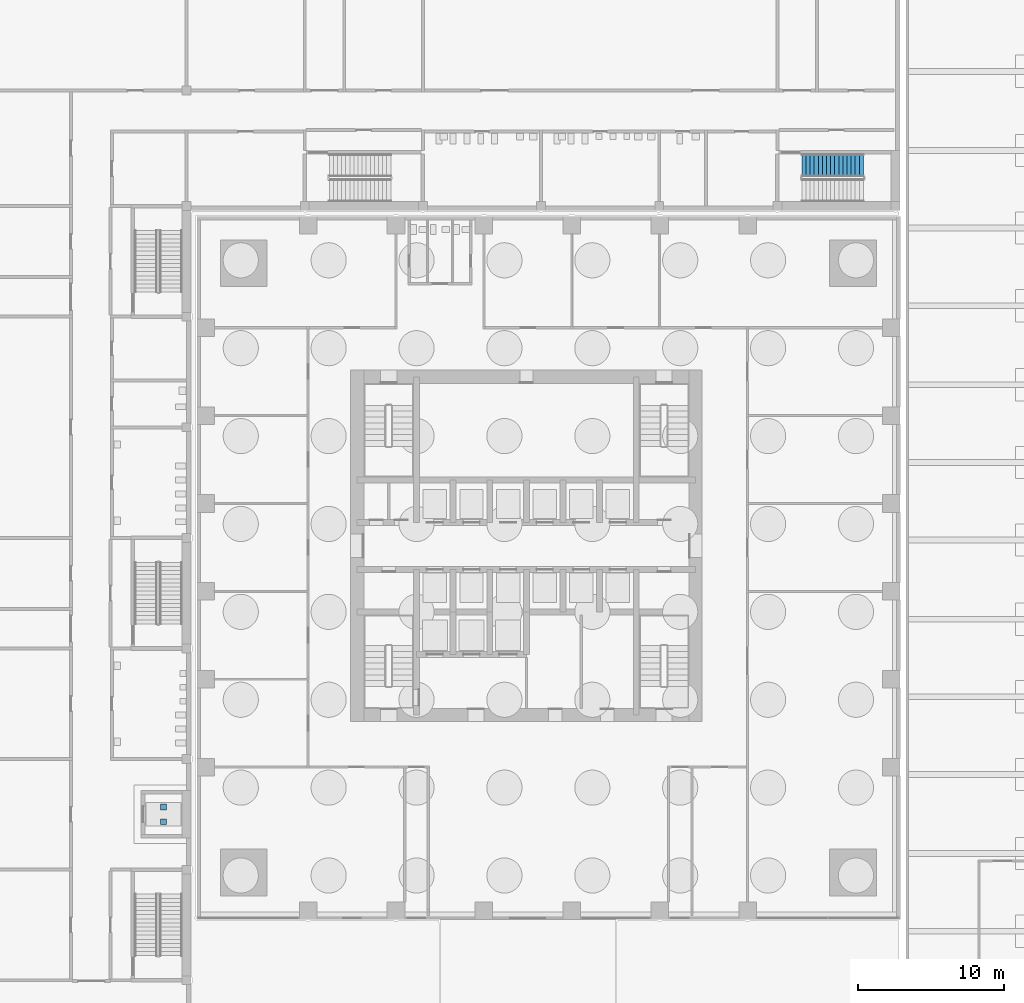
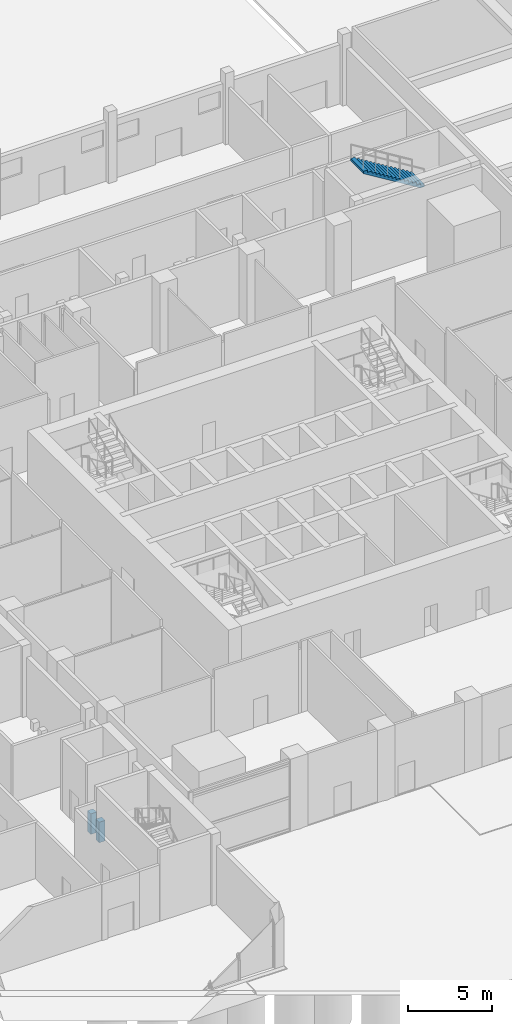
# One storey, part 23 of 33: 2 discrete accessories, 1 stair flight, 1 element without a shape of its own.
"""IFC4 building model written with IfcOpenShell, lengths in metres."""

from ifc_helpers import new_model, si_unit, direction, frame, origin, origin_2d, place, context, subcontext, project, spatial, polyline, rectangle, outline, extrude, material, type_object, element, aggregate, save


model = new_model("IFC4")

# Units and contexts
model_context = context("Model", 3, precision=1e-05, world=origin(), true_north=direction((0.0, 1.0)))
body_context = subcontext(model_context, "Body", "Model", "MODEL_VIEW")
ifc_project = project(units=[si_unit("LENGTHUNIT", "METRE"), si_unit("AREAUNIT", "SQUARE_METRE"), si_unit("VOLUMEUNIT", "CUBIC_METRE"), si_unit("PLANEANGLEUNIT", "RADIAN"), si_unit("MASSUNIT", "GRAM", prefix="KILO")], contexts=[model_context])

# Site, building, storey
site_placement = place(None, origin())
site = spatial("IfcSite", under=ifc_project, at=site_placement, CompositionType="ELEMENT")
building_placement = place(site_placement, origin())
building = spatial("IfcBuilding", under=site, at=building_placement, Name="Amberfall Residences", CompositionType="ELEMENT")
storey_placement = place(building_placement, origin())
storey = spatial("IfcBuildingStorey", under=building, at=storey_placement, Name="L00", CompositionType="ELEMENT", Elevation=0.0)

# Stair, stair flight
ifc_material = material(Name="Concrete C40", Category="concrete")
stair_type = type_object("IfcStairType", Name="School stair", PredefinedType="HALF_TURN_STAIR", material=ifc_material)
stair_placement = place(storey_placement, origin())
stair = element("IfcStair", 1, at=stair_placement, inside=storey, type_object=stair_type, Name="L00 Stair SS5", PredefinedType="HALF_TURN_STAIR")
stair_flight_type = type_object("IfcStairFlightType", Name="School stair flight", PredefinedType="STRAIGHT", material=ifc_material)
stair_flight_placement = place(storey_placement, frame((97.508056640625, 71.47509765625, 2.75), z_axis=(0.0, 0.0, 1.0), x_axis=(-1.0, 0.0, 0.0)))
stair_flight = element("IfcStairFlight", 2, at=stair_flight_placement, type_object=stair_flight_type, Name="SS5 flight 2", NumberOfRisers=16, NumberOfTreads=15, PredefinedType="STRAIGHT", RiserHeight=0.171875, TreadLength=0.28, context=body_context, shape_type="SweptSolid", body=[
    extrude(outline(polyline([(0.0, 0.0), (0.0, 0.171875), (0.280029296875, 0.171875), (0.280029296875, 0.34375), (0.56005859375, 0.34375), (0.56005859375, 0.515625), (0.840087890625, 0.515625), (0.840087890625, 0.6875), (1.1201171875, 0.6875), (1.1201171875, 0.859375), (1.39990234375, 0.859375), (1.39990234375, 1.03125), (1.679931640625, 1.03125), (1.679931640625, 1.203125), (1.9599609375, 1.203125), (1.9599609375, 1.375), (2.239990234375, 1.375), (2.239990234375, 1.546875), (2.52001953125, 1.546875), (2.52001953125, 1.71875), (2.800048828125, 1.71875), (2.800048828125, 1.890625), (3.080078125, 1.890625), (3.080078125, 2.0625), (3.360107421875, 2.0625), (3.360107421875, 2.234375), (3.639892578125, 2.234375), (3.639892578125, 2.40625), (3.919921875, 2.40625), (3.919921875, 2.578125), (4.199951171875, 2.578125), (4.199951171875, 2.75), (4.199951171875, 2.40234375), (0.28662109375, 0.0), (0.0, 0.0)])), frame((0.0, 0.77490234375, 0.0), z_axis=(0.0, -1.0, 0.0), x_axis=(1.0, 0.0, 0.0)), (0.0, 0.0, 1.0), 1.550048828125),
])
aggregate(stair, [stair_flight])

# Discrete accessories
for number, where, z_axis, x_axis, name in (
    (3, (49.72509765625, 26.675048828125, -1.5), (0.0, 0.0, 1.0), (1.0, 0.0, 0.0), "Lift buffer stand"),
    (4, (49.72509765625, 27.675048828125, -1.5), (0.0, 0.0, 1.0), (1.0, 0.0, 0.0), "Lift buffer stand"),
):
    element("IfcDiscreteAccessory", number, at=place(storey_placement, frame(where, z_axis=z_axis, x_axis=x_axis)), inside=storey, Name=name, PredefinedType="BRACKET", context=body_context, shape_type="SweptSolid", body=[
        extrude(rectangle(XDim=0.39990234375, YDim=0.39990234375, at=origin_2d()), origin(), (0.0, 0.0, 1.0), 1.5),
    ])

save(model, "model.ifc")
